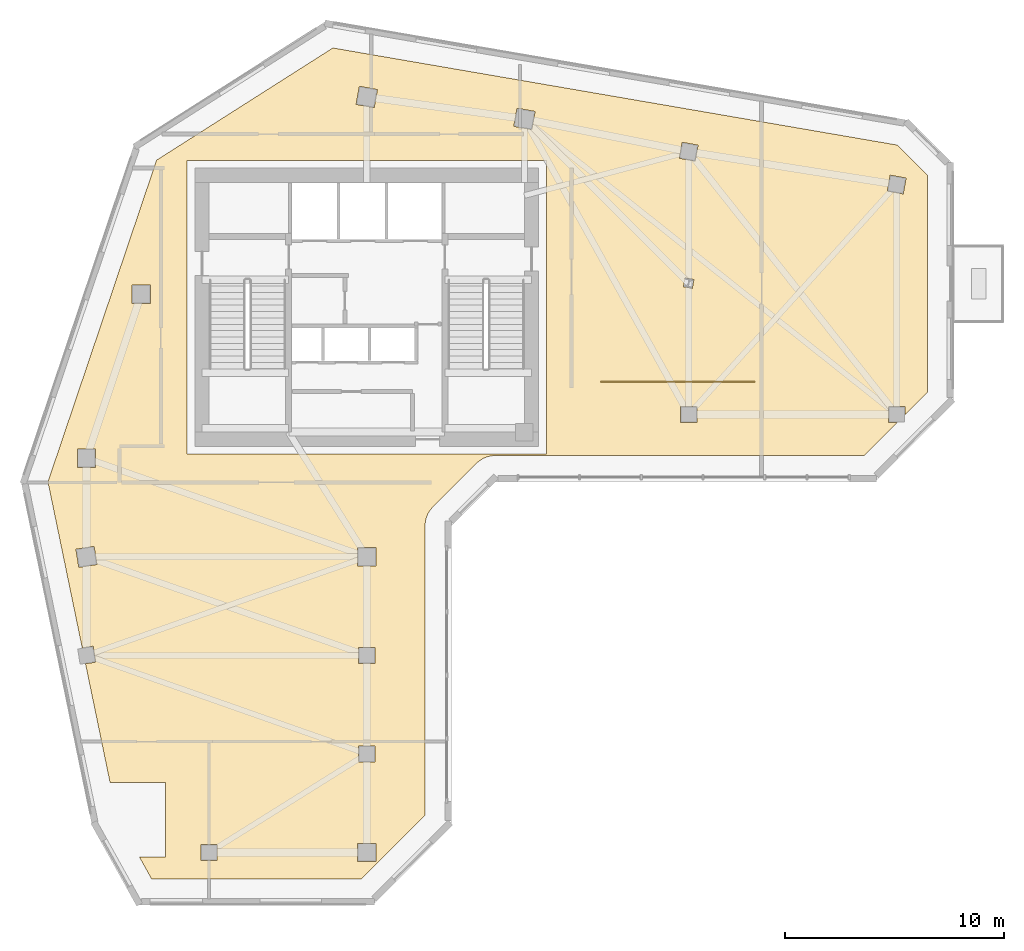
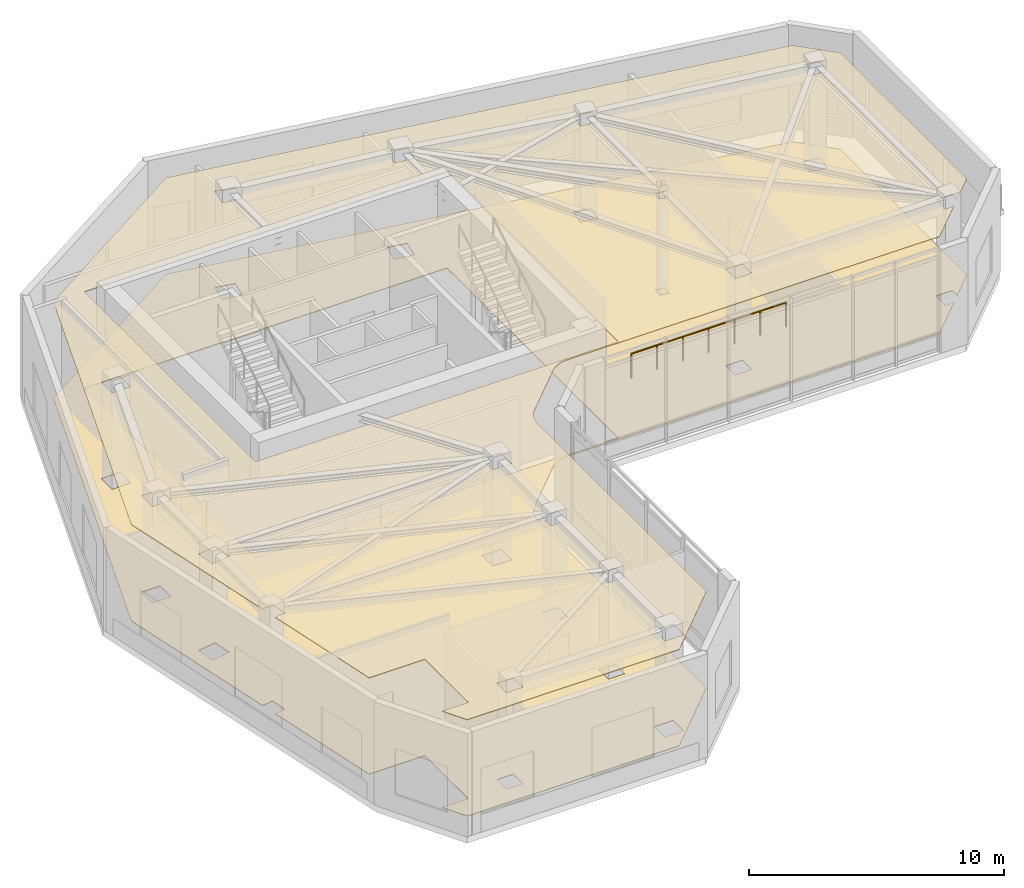
# One storey, part 9 of 10: 2 coverings, 1 railing.
"""IFC4 building model written with IfcOpenShell, lengths in metres."""

from ifc_helpers import new_model, si_unit, direction, frame, origin, origin_2d, place, context, subcontext, project, spatial, polyline, circle, outline, extrude, material, layer, layer_set, type_object, element, save


model = new_model("IFC4")

# Units and contexts
model_context = context("Model", 3, precision=1e-05, world=origin(), true_north=direction((0.0, 1.0)))
body_context = subcontext(model_context, "Body", "Model", "MODEL_VIEW")
ifc_project = project(units=[si_unit("LENGTHUNIT", "METRE"), si_unit("AREAUNIT", "SQUARE_METRE"), si_unit("VOLUMEUNIT", "CUBIC_METRE"), si_unit("PLANEANGLEUNIT", "RADIAN"), si_unit("MASSUNIT", "GRAM", prefix="KILO")], contexts=[model_context])

# Site, building, storey
site_placement = place(None, origin())
site = spatial("IfcSite", under=ifc_project, at=site_placement, CompositionType="ELEMENT")
building_placement = place(site_placement, origin())
building = spatial("IfcBuilding", under=site, at=building_placement, Name="Calvemar Wedge Station Tower", CompositionType="ELEMENT")
storey_placement = place(building_placement, frame((0.0, 0.0, 178.199951171875)))
storey = spatial("IfcBuildingStorey", under=building, at=storey_placement, Name="L44", CompositionType="ELEMENT", Elevation=178.199951171875)

# Coverings
ifc_material_1 = material(Name="Moisture-resistant gypsum ceiling")
ifc_layer_1 = layer(ifc_material_1, 0.0400390625)
ifc_layer_set_1 = layer_set([ifc_layer_1], Name="Moisture-resistant gypsum ceiling")
covering_type_1 = type_object("IfcCoveringType", Name="COV-CEIL-GYPSUM", PredefinedType="CEILING", material=ifc_layer_set_1)
covering_1_placement = place(storey_placement, frame((0.0, 0.0, 4.60009765625)))
element("IfcCovering", 1, at=covering_1_placement, inside=storey, type_object=covering_type_1, Name="Storey L44 Acoustic Suspended Ceiling", PredefinedType="CEILING", context=body_context, shape_type="SweptSolid", body=[
    extrude(outline(polyline([(26.8154296875, 30.7724609375), (28.8154296875, 32.7724609375), (28.902587890625, 32.8515625), (28.997314453125, 32.921875), (29.098388671875, 32.982421875), (29.204833984375, 33.03271484375), (29.315673828125, 33.072265625), (29.429931640625, 33.100830078125), (29.54638671875, 33.1181640625), (29.6640625, 33.1240234375), (46.5029296875, 33.1240234375), (48.0087890625, 34.6298828125), (47.6298828125, 34.6298828125), (47.6298828125, 35.3701171875), (48.3701171875, 35.3701171875), (48.3701171875, 34.9912109375), (49.39990234375, 36.02099609375), (49.39990234375, 45.927001953125), (48.02099609375, 47.305908203125), (22.25341796875, 51.73876953125), (14.201416015625, 46.614990234375), (9.240966796875, 31.92431640625), (10.806884765625, 24.34375), (11.306884765625, 24.423828125), (11.423828125, 23.693115234375), (10.956787109375, 23.618408203125), (12.076171875, 18.199951171875), (14.60009765625, 18.199951171875), (14.60009765625, 14.800048828125), (13.41455078125, 14.800048828125), (13.97021484375, 13.800048828125), (23.56689453125, 13.800048828125), (26.464111328125, 16.697021484375), (26.464111328125, 29.924072265625), (26.4697265625, 30.04150390625), (26.487060546875, 30.158203125), (26.515625, 30.272216796875), (26.555419921875, 30.38330078125), (26.605712890625, 30.48974609375), (26.666259765625, 30.5908203125), (26.736328125, 30.685302734375), (26.8154296875, 30.7724609375)]), holes=[polyline([(15.60009765625, 46.60009765625), (32.0, 46.60009765625), (32.0, 33.199951171875), (15.60009765625, 33.199951171875), (15.60009765625, 46.60009765625)]), polyline([(10.580078125, 32.580078125), (10.580078125, 33.419921875), (11.419921875, 33.419921875), (11.419921875, 32.580078125), (10.580078125, 32.580078125)]), polyline([(13.080078125, 40.919921875), (13.919921875, 40.919921875), (13.919921875, 40.080078125), (13.080078125, 40.080078125), (13.080078125, 40.919921875)]), polyline([(24.28759765625, 49.839111328125), (24.138916015625, 49.01220703125), (23.312255859375, 49.160888671875), (23.4609375, 49.98779296875), (24.28759765625, 49.839111328125)]), polyline([(31.339111328125, 48.01220703125), (30.51220703125, 48.160888671875), (30.660888671875, 48.98779296875), (31.48779296875, 48.839111328125), (31.339111328125, 48.01220703125)]), polyline([(38.0703125, 46.701416015625), (38.201416015625, 47.4296875), (38.9296875, 47.298583984375), (38.798583984375, 46.5703125), (38.0703125, 46.701416015625)]), polyline([(47.701416015625, 45.9296875), (48.4296875, 45.798583984375), (48.298583984375, 45.0703125), (47.5703125, 45.201416015625), (47.701416015625, 45.9296875)]), polyline([(38.8701171875, 35.3701171875), (38.8701171875, 34.6298828125), (38.1298828125, 34.6298828125), (38.1298828125, 35.3701171875), (38.8701171875, 35.3701171875)]), polyline([(38.259765625, 40.833984375), (38.332763671875, 41.239501953125), (38.740234375, 41.166015625), (38.667236328125, 40.760498046875), (38.259765625, 40.833984375)]), polyline([(11.348388671875, 28.981201171875), (11.481201171875, 28.151611328125), (10.651611328125, 28.018798828125), (10.518798828125, 28.848388671875), (11.348388671875, 28.981201171875)]), polyline([(24.219970703125, 28.080078125), (23.3798828125, 28.080078125), (23.3798828125, 28.919921875), (24.219970703125, 28.919921875), (24.219970703125, 28.080078125)]), polyline([(23.429931640625, 23.6298828125), (23.429931640625, 24.3701171875), (24.169921875, 24.3701171875), (24.169921875, 23.6298828125), (23.429931640625, 23.6298828125)]), polyline([(23.429931640625, 19.8701171875), (24.169921875, 19.8701171875), (24.169921875, 19.1298828125), (23.429931640625, 19.1298828125), (23.429931640625, 19.8701171875)]), polyline([(24.219970703125, 15.419921875), (24.219970703125, 14.580078125), (23.3798828125, 14.580078125), (23.3798828125, 15.419921875), (24.219970703125, 15.419921875)]), polyline([(16.969970703125, 14.6298828125), (16.22998046875, 14.6298828125), (16.22998046875, 15.3701171875), (16.969970703125, 15.3701171875), (16.969970703125, 14.6298828125)])]), origin(), (0.0, 0.0, 1.0), 0.0400390625),
])
ifc_material_2 = material(Name="Honed coastal granite stone tile", Category="masonry")
ifc_layer_2 = layer(ifc_material_2, 0.030029296875)
ifc_layer_set_2 = layer_set([ifc_layer_2], Name="Honed coastal granite stone tile")
covering_type_2 = type_object("IfcCoveringType", Name="COV-FLR-STONE", PredefinedType="FLOORING", material=ifc_layer_set_2)
covering_2_placement = place(storey_placement, origin())
element("IfcCovering", 2, at=covering_2_placement, inside=storey, type_object=covering_type_2, Name="Storey L44 Architectural Floor Finish", PredefinedType="FLOORING", context=body_context, shape_type="SweptSolid", body=[
    extrude(outline(polyline([(26.8154296875, 30.7724609375), (28.8154296875, 32.7724609375), (28.902587890625, 32.8515625), (28.997314453125, 32.921875), (29.098388671875, 32.982421875), (29.204833984375, 33.03271484375), (29.315673828125, 33.072265625), (29.429931640625, 33.100830078125), (29.54638671875, 33.1181640625), (29.6640625, 33.1240234375), (46.5029296875, 33.1240234375), (48.0087890625, 34.6298828125), (47.6298828125, 34.6298828125), (47.6298828125, 35.3701171875), (48.3701171875, 35.3701171875), (48.3701171875, 34.9912109375), (49.39990234375, 36.02099609375), (49.39990234375, 45.927001953125), (48.02099609375, 47.305908203125), (22.25341796875, 51.73876953125), (14.201416015625, 46.614990234375), (9.240966796875, 31.92431640625), (10.806884765625, 24.34375), (11.306884765625, 24.423828125), (11.423828125, 23.693115234375), (10.956787109375, 23.618408203125), (12.076171875, 18.199951171875), (14.60009765625, 18.199951171875), (14.60009765625, 14.800048828125), (13.41455078125, 14.800048828125), (13.97021484375, 13.800048828125), (23.56689453125, 13.800048828125), (26.464111328125, 16.697021484375), (26.464111328125, 29.924072265625), (26.4697265625, 30.04150390625), (26.487060546875, 30.158203125), (26.515625, 30.272216796875), (26.555419921875, 30.38330078125), (26.605712890625, 30.48974609375), (26.666259765625, 30.5908203125), (26.736328125, 30.685302734375), (26.8154296875, 30.7724609375)]), holes=[polyline([(15.60009765625, 46.60009765625), (32.0, 46.60009765625), (32.0, 33.199951171875), (15.60009765625, 33.199951171875), (15.60009765625, 46.60009765625)]), polyline([(10.580078125, 32.580078125), (10.580078125, 33.419921875), (11.419921875, 33.419921875), (11.419921875, 32.580078125), (10.580078125, 32.580078125)]), polyline([(13.080078125, 40.919921875), (13.919921875, 40.919921875), (13.919921875, 40.080078125), (13.080078125, 40.080078125), (13.080078125, 40.919921875)]), polyline([(24.28759765625, 49.839111328125), (24.138916015625, 49.01220703125), (23.312255859375, 49.160888671875), (23.4609375, 49.98779296875), (24.28759765625, 49.839111328125)]), polyline([(31.339111328125, 48.01220703125), (30.51220703125, 48.160888671875), (30.660888671875, 48.98779296875), (31.48779296875, 48.839111328125), (31.339111328125, 48.01220703125)]), polyline([(38.0703125, 46.701416015625), (38.201416015625, 47.4296875), (38.9296875, 47.298583984375), (38.798583984375, 46.5703125), (38.0703125, 46.701416015625)]), polyline([(47.701416015625, 45.9296875), (48.4296875, 45.798583984375), (48.298583984375, 45.0703125), (47.5703125, 45.201416015625), (47.701416015625, 45.9296875)]), polyline([(38.8701171875, 35.3701171875), (38.8701171875, 34.6298828125), (38.1298828125, 34.6298828125), (38.1298828125, 35.3701171875), (38.8701171875, 35.3701171875)]), polyline([(38.259765625, 40.833984375), (38.332763671875, 41.239501953125), (38.740234375, 41.166015625), (38.667236328125, 40.760498046875), (38.259765625, 40.833984375)]), polyline([(11.348388671875, 28.981201171875), (11.481201171875, 28.151611328125), (10.651611328125, 28.018798828125), (10.518798828125, 28.848388671875), (11.348388671875, 28.981201171875)]), polyline([(24.219970703125, 28.080078125), (23.3798828125, 28.080078125), (23.3798828125, 28.919921875), (24.219970703125, 28.919921875), (24.219970703125, 28.080078125)]), polyline([(23.429931640625, 23.6298828125), (23.429931640625, 24.3701171875), (24.169921875, 24.3701171875), (24.169921875, 23.6298828125), (23.429931640625, 23.6298828125)]), polyline([(23.429931640625, 19.8701171875), (24.169921875, 19.8701171875), (24.169921875, 19.1298828125), (23.429931640625, 19.1298828125), (23.429931640625, 19.8701171875)]), polyline([(24.219970703125, 15.419921875), (24.219970703125, 14.580078125), (23.3798828125, 14.580078125), (23.3798828125, 15.419921875), (24.219970703125, 15.419921875)]), polyline([(16.969970703125, 14.6298828125), (16.22998046875, 14.6298828125), (16.22998046875, 15.3701171875), (16.969970703125, 15.3701171875), (16.969970703125, 14.6298828125)])]), origin(), (0.0, 0.0, 1.0), 0.030029296875),
])

# Railing
ifc_material_3 = material(Name="Anodised aluminium 6063-T6", Category="aluminium")
railing_type = type_object("IfcRailingType", Name="RL-BALUSTRADE-1200", PredefinedType="BALUSTRADE", material=ifc_material_3)
railing_placement = place(storey_placement, frame((34.5, 36.5, 0.0)))
element("IfcRailing", 3, at=railing_placement, inside=storey, type_object=railing_type, Name="Storey L44 Glazed Feature Balustrade 8", PredefinedType="BALUSTRADE", context=body_context, shape_type="SweptSolid", body=[
    extrude(circle(Radius=0.02392578125, at=origin_2d()), frame((0.0, 0.0, 1.17578125), z_axis=(1.0, 0.0, 0.0), x_axis=(0.0, 1.0, 0.0)), (0.0, 0.0, 1.0), 7.0),
    extrude(circle(Radius=0.02099609375, at=origin_2d()), origin(), (0.0, 0.0, 1.0), 1.15185546875),
    extrude(circle(Radius=0.02099609375, at=origin_2d()), frame((1.166748046875, 0.0, 0.0)), (0.0, 0.0, 1.0), 1.15185546875),
    extrude(circle(Radius=0.02099609375, at=origin_2d()), frame((2.333251953125, 0.0, 0.0)), (0.0, 0.0, 1.0), 1.15185546875),
    extrude(circle(Radius=0.02099609375, at=origin_2d()), frame((3.5, 0.0, 0.0)), (0.0, 0.0, 1.0), 1.15185546875),
    extrude(circle(Radius=0.02099609375, at=origin_2d()), frame((4.666748046875, 0.0, 0.0)), (0.0, 0.0, 1.0), 1.15185546875),
    extrude(circle(Radius=0.02099609375, at=origin_2d()), frame((5.833251953125, 0.0, 0.0)), (0.0, 0.0, 1.0), 1.15185546875),
    extrude(circle(Radius=0.02099609375, at=origin_2d()), frame((7.0, 0.0, 0.0)), (0.0, 0.0, 1.0), 1.15185546875),
])

save(model, "model.ifc")
